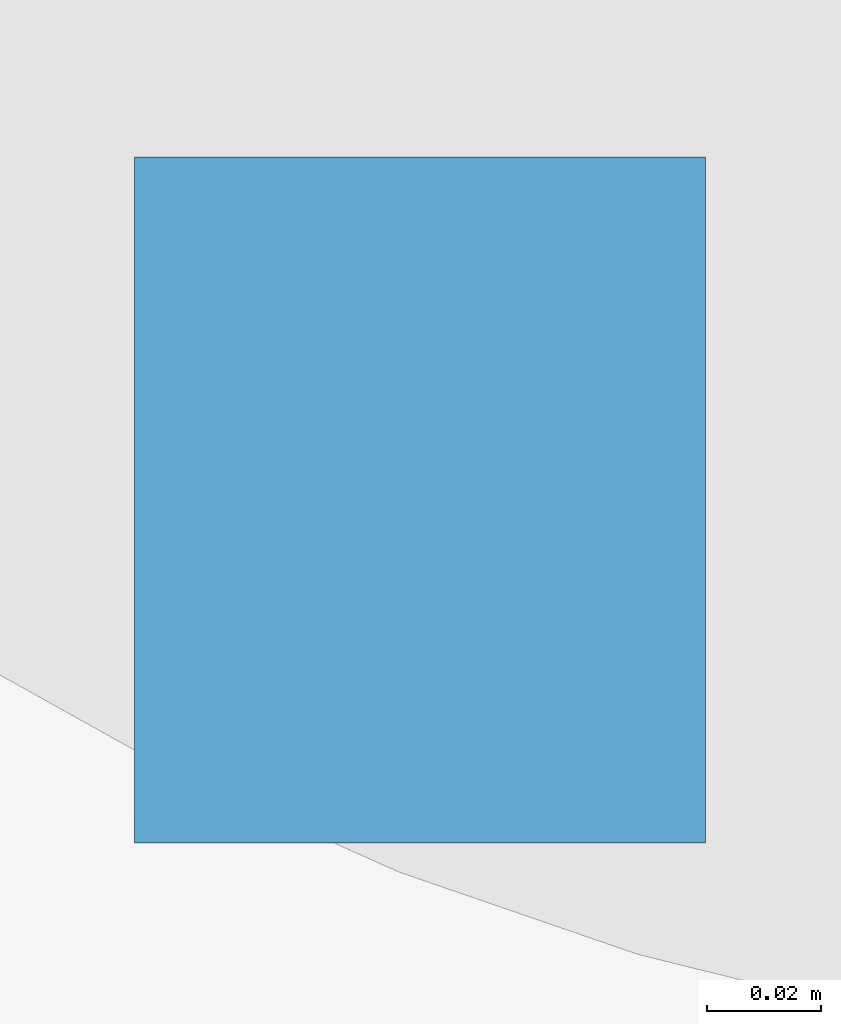
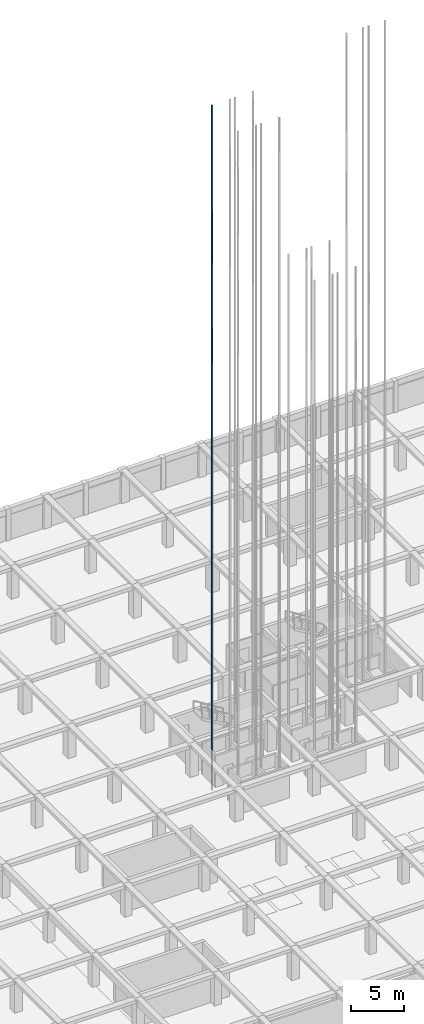
# One storey, part 29 of 47: 1 discrete accessory.
"""IFC4 building model written with IfcOpenShell, lengths in metres."""

from ifc_helpers import new_model, si_unit, direction, frame, origin, origin_2d, place, context, subcontext, project, spatial, rectangle, extrude, material, layer, layer_set, type_object, element, save


model = new_model("IFC4")

# Units and contexts
model_context = context("Model", 3, precision=1e-05, world=origin(), true_north=direction((0.0, 1.0)))
body_context = subcontext(model_context, "Body", "Model", "MODEL_VIEW")
ifc_project = project(units=[si_unit("LENGTHUNIT", "METRE"), si_unit("AREAUNIT", "SQUARE_METRE"), si_unit("VOLUMEUNIT", "CUBIC_METRE"), si_unit("PLANEANGLEUNIT", "RADIAN"), si_unit("MASSUNIT", "GRAM", prefix="KILO")], contexts=[model_context])

# Site, building, storey
site_placement = place(None, origin())
site = spatial("IfcSite", under=ifc_project, at=site_placement, CompositionType="ELEMENT")
building_placement = place(site_placement, origin())
building = spatial("IfcBuilding", under=site, at=building_placement, Name="Almacenes y Pasaje Nevantli", CompositionType="ELEMENT")
storey_placement = place(building_placement, frame((0.0, 0.0, -8.10009765625)))
storey = spatial("IfcBuildingStorey", under=building, at=storey_placement, Name="B02", CompositionType="ELEMENT", Elevation=-8.10009765625)

# Discrete accessory
ifc_material = material(Name="Steel ASTM A36", Category="steel")
ifc_layer = layer(ifc_material, 0.1201171875)
ifc_layer_set = layer_set([ifc_layer], Name="Steel ASTM A36")
discrete_accessory_type = type_object("IfcDiscreteAccessoryType", Name="ACC-LIFT-RAIL", PredefinedType="BRACKET", material=ifc_layer_set)
discrete_accessory_placement = place(storey_placement, frame((118.77001953125, 73.85009765625, -1.199951171875), z_axis=(0.0, 0.0, 1.0), x_axis=(1.0, 0.0, 0.0)))
element("IfcDiscreteAccessory", 1, at=discrete_accessory_placement, inside=storey, type_object=discrete_accessory_type, Name="Elevator Steel T-Section Guide Rail ELV-P07-W", PredefinedType="BRACKET", context=body_context, shape_type="SweptSolid", body=[
    extrude(rectangle(XDim=0.10009765625, YDim=0.1201171875, at=origin_2d()), origin(), (0.0, 0.0, 1.0), 78.5),
])

save(model, "model.ifc")
